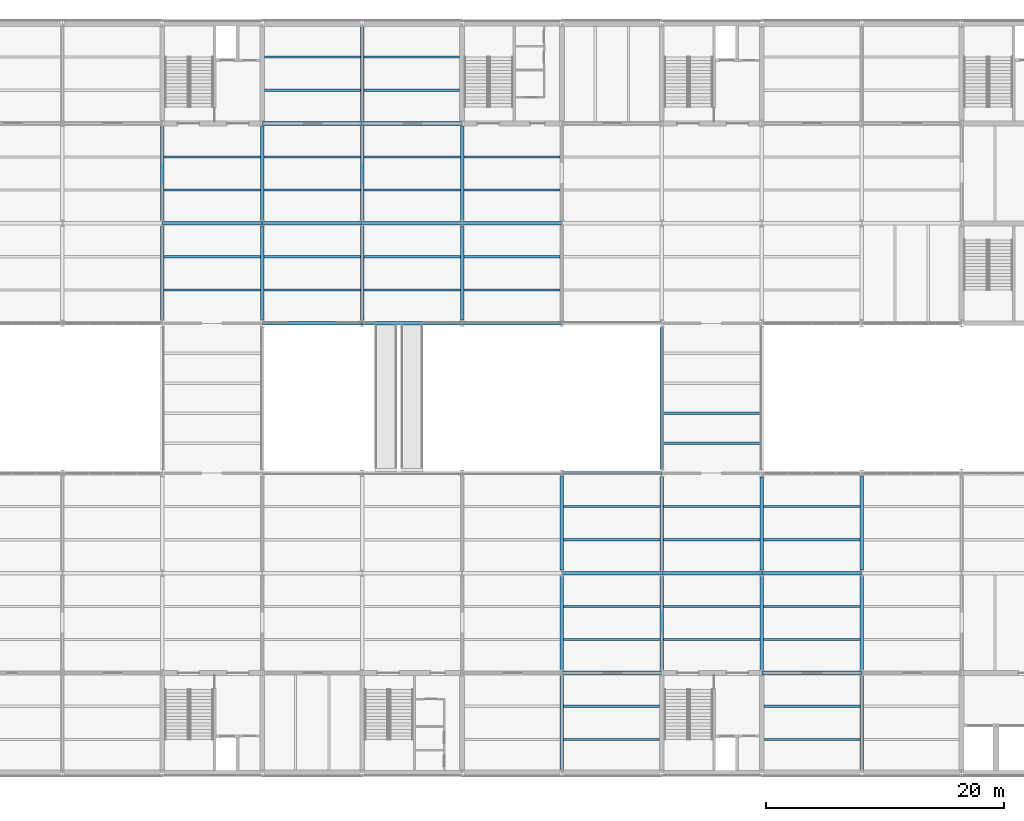
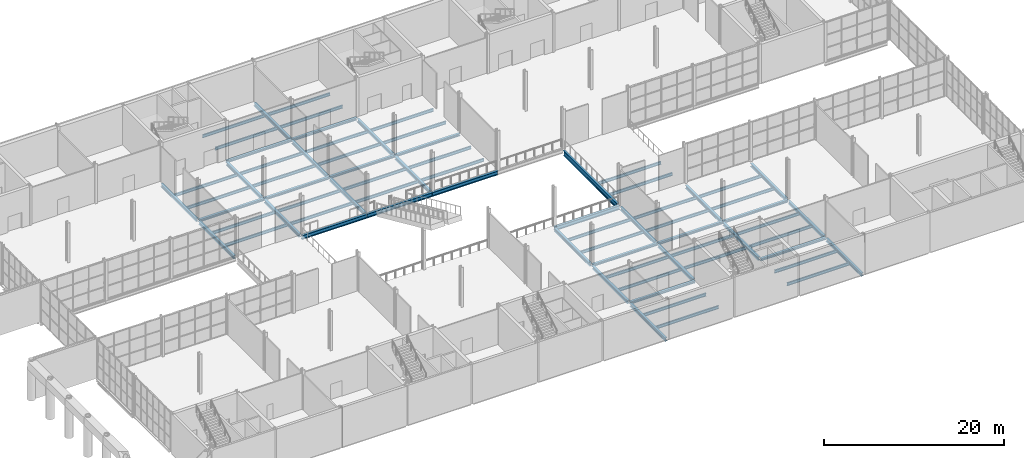
# One storey, part 21 of 64: 73 beams.
"""IFC4 building model written with IfcOpenShell, lengths in metres."""

from ifc_helpers import new_model, si_unit, direction, frame, origin, origin_2d, place, context, subcontext, project, spatial, i_section, extrude, material, material_profile, profile_set, type_object, element, save


model = new_model("IFC4")

# Units and contexts
model_context = context("Model", 3, precision=1e-05, world=origin(), true_north=direction((0.0, 1.0)))
body_context = subcontext(model_context, "Body", "Model", "MODEL_VIEW")
ifc_project = project(units=[si_unit("LENGTHUNIT", "METRE"), si_unit("AREAUNIT", "SQUARE_METRE"), si_unit("VOLUMEUNIT", "CUBIC_METRE"), si_unit("PLANEANGLEUNIT", "RADIAN"), si_unit("MASSUNIT", "GRAM", prefix="KILO")], contexts=[model_context])

# Site, building, storey
site_placement = place(None, origin())
site = spatial("IfcSite", under=ifc_project, at=site_placement, CompositionType="ELEMENT")
building_placement = place(site_placement, origin())
building = spatial("IfcBuilding", under=site, at=building_placement, Name="Galleria Vessillo Department Store", CompositionType="ELEMENT")
storey_placement = place(building_placement, frame((0.0, 0.0, 6.0)))
storey = spatial("IfcBuildingStorey", under=building, at=storey_placement, Name="L01", CompositionType="ELEMENT", Elevation=6.0)

# Beams
ifc_material_1 = material(Name="Steel S355 J2", Category="steel")
ifc_material_profile_1 = material_profile(ifc_material_1, i_section(OverallWidth=0.300048828125, OverallDepth=0.68994140625, WebThickness=0.014404296875, FlangeThickness=0.027099609375, FilletRadius=0.027099609375, at=origin_2d()), Name="HEA 700")
ifc_profile_set_1 = profile_set([ifc_material_profile_1], Name="Steel S355 J2")
beam_type_1 = type_object("IfcBeamType", Name="Bridge girder HEA 700", PredefinedType="BEAM", material=ifc_profile_set_1)
beam_1_placement = place(storey_placement, frame((75.60009765625, 25.51025390625, -0.494873046875), z_axis=(0.0, 1.0, 0.0), x_axis=(-1.0, 0.0, 0.0)))
element("IfcBeam", 1, at=beam_1_placement, inside=storey, type_object=beam_type_1, Name="S-BM-L01-BR-y75600-25510", PredefinedType="BEAM", context=body_context, shape_type="SweptSolid", body=[
    extrude(i_section(OverallWidth=0.300048828125, OverallDepth=0.68994140625, WebThickness=0.014404296875, FlangeThickness=0.027099609375, FilletRadius=0.027099609375, at=origin_2d()), origin(), (0.0, 0.0, 1.0), 11.9794921875),
])
ifc_material_2 = material(Name="Steel S355 J2", Category="steel")
ifc_material_profile_2 = material_profile(ifc_material_2, i_section(OverallWidth=0.300048828125, OverallDepth=0.43994140625, WebThickness=0.011474609375, FlangeThickness=0.02099609375, FilletRadius=0.027099609375, at=origin_2d()), Name="HEA 450")
ifc_profile_set_2 = profile_set([ifc_material_profile_2], Name="Steel S355 J2")
beam_type_2 = type_object("IfcBeamType", Name="Floor girder HEA 450", PredefinedType="BEAM", material=ifc_profile_set_2)
beam_2_placement = place(storey_placement, frame((33.60009765625, 38.110107421875, -0.369873046875), z_axis=(0.0, 1.0, 0.0), x_axis=(-1.0, 0.0, 0.0)))
element("IfcBeam", 2, at=beam_2_placement, inside=storey, type_object=beam_type_2, Name="S-BM-L01-GI-y33600-38110", PredefinedType="BEAM", context=body_context, shape_type="SweptSolid", body=[
    extrude(i_section(OverallWidth=0.300048828125, OverallDepth=0.43994140625, WebThickness=0.011474609375, FlangeThickness=0.02099609375, FilletRadius=0.027099609375, at=origin_2d()), origin(), (0.0, 0.0, 1.0), 7.83984375),
])
beam_3_placement = place(storey_placement, frame((33.60009765625, 46.4501953125, -0.369873046875), z_axis=(0.0, 1.0, 0.0), x_axis=(-1.0, 0.0, 0.0)))
element("IfcBeam", 3, at=beam_3_placement, inside=storey, type_object=beam_type_2, Name="S-BM-L01-GI-y33600-46450", PredefinedType="BEAM", context=body_context, shape_type="SweptSolid", body=[
    extrude(i_section(OverallWidth=0.300048828125, OverallDepth=0.43994140625, WebThickness=0.011474609375, FlangeThickness=0.02099609375, FilletRadius=0.027099609375, at=origin_2d()), origin(), (0.0, 0.0, 1.0), 7.899658203125),
])
beam_4_placement = place(storey_placement, frame((42.0, 38.110107421875, -0.369873046875), z_axis=(0.0, 1.0, 0.0), x_axis=(-1.0, 0.0, 0.0)))
element("IfcBeam", 4, at=beam_4_placement, inside=storey, type_object=beam_type_2, Name="S-BM-L01-GI-y42000-38110", PredefinedType="BEAM", context=body_context, shape_type="SweptSolid", body=[
    extrude(i_section(OverallWidth=0.300048828125, OverallDepth=0.43994140625, WebThickness=0.011474609375, FlangeThickness=0.02099609375, FilletRadius=0.027099609375, at=origin_2d()), origin(), (0.0, 0.0, 1.0), 7.83984375),
])
beam_5_placement = place(storey_placement, frame((42.0, 46.4501953125, -0.369873046875), z_axis=(0.0, 1.0, 0.0), x_axis=(-1.0, 0.0, 0.0)))
element("IfcBeam", 5, at=beam_5_placement, inside=storey, type_object=beam_type_2, Name="S-BM-L01-GI-y42000-46450", PredefinedType="BEAM", context=body_context, shape_type="SweptSolid", body=[
    extrude(i_section(OverallWidth=0.300048828125, OverallDepth=0.43994140625, WebThickness=0.011474609375, FlangeThickness=0.02099609375, FilletRadius=0.027099609375, at=origin_2d()), origin(), (0.0, 0.0, 1.0), 7.899658203125),
])
beam_6_placement = place(storey_placement, frame((50.39990234375, 38.06201171875, -0.369873046875), z_axis=(0.0, 1.0, 0.0), x_axis=(-1.0, 0.0, 0.0)))
element("IfcBeam", 6, at=beam_6_placement, inside=storey, type_object=beam_type_2, Name="S-BM-L01-GI-y50400-38062", PredefinedType="BEAM", context=body_context, shape_type="SweptSolid", body=[
    extrude(i_section(OverallWidth=0.300048828125, OverallDepth=0.43994140625, WebThickness=0.011474609375, FlangeThickness=0.02099609375, FilletRadius=0.027099609375, at=origin_2d()), origin(), (0.0, 0.0, 1.0), 7.887939453125),
])
for number, where, z_axis, x_axis, name in (
    (7, (50.39990234375, 46.4501953125, -0.369873046875), (0.0, 1.0, 0.0), (-1.0, 0.0, 0.0), "S-BM-L01-GI-y50400-46450"),
    (8, (50.39990234375, 54.85009765625, -0.369873046875), (0.0, 1.0, 0.0), (-1.0, 0.0, 0.0), "S-BM-L01-GI-y50400-54850"),
):
    element("IfcBeam", number, at=place(storey_placement, frame(where, z_axis=z_axis, x_axis=x_axis)), inside=storey, type_object=beam_type_2, Name=name, PredefinedType="BEAM", context=body_context, shape_type="SweptSolid", body=[
        extrude(i_section(OverallWidth=0.300048828125, OverallDepth=0.43994140625, WebThickness=0.011474609375, FlangeThickness=0.02099609375, FilletRadius=0.027099609375, at=origin_2d()), origin(), (0.0, 0.0, 1.0), 7.899658203125),
    ])
beam_7_placement = place(storey_placement, frame((58.800048828125, 38.06201171875, -0.369873046875), z_axis=(0.0, 1.0, 0.0), x_axis=(-1.0, 0.0, 0.0)))
element("IfcBeam", 9, at=beam_7_placement, inside=storey, type_object=beam_type_2, Name="S-BM-L01-GI-y58800-38062", PredefinedType="BEAM", context=body_context, shape_type="SweptSolid", body=[
    extrude(i_section(OverallWidth=0.300048828125, OverallDepth=0.43994140625, WebThickness=0.011474609375, FlangeThickness=0.02099609375, FilletRadius=0.027099609375, at=origin_2d()), origin(), (0.0, 0.0, 1.0), 7.887939453125),
])
for number, where, z_axis, x_axis, name in (
    (10, (58.800048828125, 46.4501953125, -0.369873046875), (0.0, 1.0, 0.0), (-1.0, 0.0, 0.0), "S-BM-L01-GI-y58800-46450"),
    (11, (67.199951171875, 0.250244140625, -0.369873046875), (0.0, 1.0, 0.0), (-1.0, 0.0, 0.0), "S-BM-L01-GI-y67200-250"),
    (12, (67.199951171875, 8.650146484375, -0.369873046875), (0.0, 1.0, 0.0), (-1.0, 0.0, 0.0), "S-BM-L01-GI-y67200-8650"),
):
    element("IfcBeam", number, at=place(storey_placement, frame(where, z_axis=z_axis, x_axis=x_axis)), inside=storey, type_object=beam_type_2, Name=name, PredefinedType="BEAM", context=body_context, shape_type="SweptSolid", body=[
        extrude(i_section(OverallWidth=0.300048828125, OverallDepth=0.43994140625, WebThickness=0.011474609375, FlangeThickness=0.02099609375, FilletRadius=0.027099609375, at=origin_2d()), origin(), (0.0, 0.0, 1.0), 7.899658203125),
    ])
beam_8_placement = place(storey_placement, frame((67.199951171875, 17.050048828125, -0.369873046875), z_axis=(0.0, 1.0, 0.0), x_axis=(-1.0, 0.0, 0.0)))
element("IfcBeam", 13, at=beam_8_placement, inside=storey, type_object=beam_type_2, Name="S-BM-L01-GI-y67200-17050", PredefinedType="BEAM", context=body_context, shape_type="SweptSolid", body=[
    extrude(i_section(OverallWidth=0.300048828125, OverallDepth=0.43994140625, WebThickness=0.011474609375, FlangeThickness=0.02099609375, FilletRadius=0.027099609375, at=origin_2d()), origin(), (0.0, 0.0, 1.0), 7.887939453125),
])
beam_9_placement = place(storey_placement, frame((75.60009765625, 8.650146484375, -0.369873046875), z_axis=(0.0, 1.0, 0.0), x_axis=(-1.0, 0.0, 0.0)))
element("IfcBeam", 14, at=beam_9_placement, inside=storey, type_object=beam_type_2, Name="S-BM-L01-GI-y75600-8650", PredefinedType="BEAM", context=body_context, shape_type="SweptSolid", body=[
    extrude(i_section(OverallWidth=0.300048828125, OverallDepth=0.43994140625, WebThickness=0.011474609375, FlangeThickness=0.02099609375, FilletRadius=0.027099609375, at=origin_2d()), origin(), (0.0, 0.0, 1.0), 7.899658203125),
])
beam_10_placement = place(storey_placement, frame((75.60009765625, 17.050048828125, -0.369873046875), z_axis=(0.0, 1.0, 0.0), x_axis=(-1.0, 0.0, 0.0)))
element("IfcBeam", 15, at=beam_10_placement, inside=storey, type_object=beam_type_2, Name="S-BM-L01-GI-y75600-17050", PredefinedType="BEAM", context=body_context, shape_type="SweptSolid", body=[
    extrude(i_section(OverallWidth=0.300048828125, OverallDepth=0.43994140625, WebThickness=0.011474609375, FlangeThickness=0.02099609375, FilletRadius=0.027099609375, at=origin_2d()), origin(), (0.0, 0.0, 1.0), 7.83984375),
])
beam_11_placement = place(storey_placement, frame((84.0, 8.650146484375, -0.369873046875), z_axis=(0.0, 1.0, 0.0), x_axis=(-1.0, 0.0, 0.0)))
element("IfcBeam", 16, at=beam_11_placement, inside=storey, type_object=beam_type_2, Name="S-BM-L01-GI-y84000-8650", PredefinedType="BEAM", context=body_context, shape_type="SweptSolid", body=[
    extrude(i_section(OverallWidth=0.300048828125, OverallDepth=0.43994140625, WebThickness=0.011474609375, FlangeThickness=0.02099609375, FilletRadius=0.027099609375, at=origin_2d()), origin(), (0.0, 0.0, 1.0), 7.899658203125),
])
beam_12_placement = place(storey_placement, frame((84.0, 17.050048828125, -0.369873046875), z_axis=(0.0, 1.0, 0.0), x_axis=(-1.0, 0.0, 0.0)))
element("IfcBeam", 17, at=beam_12_placement, inside=storey, type_object=beam_type_2, Name="S-BM-L01-GI-y84000-17050", PredefinedType="BEAM", context=body_context, shape_type="SweptSolid", body=[
    extrude(i_section(OverallWidth=0.300048828125, OverallDepth=0.43994140625, WebThickness=0.011474609375, FlangeThickness=0.02099609375, FilletRadius=0.027099609375, at=origin_2d()), origin(), (0.0, 0.0, 1.0), 7.83984375),
])
for number, where, z_axis, x_axis, name in (
    (18, (92.39990234375, 0.250244140625, -0.369873046875), (0.0, 1.0, 0.0), (-1.0, 0.0, 0.0), "S-BM-L01-GI-y92400-250"),
    (19, (92.39990234375, 8.650146484375, -0.369873046875), (0.0, 1.0, 0.0), (-1.0, 0.0, 0.0), "S-BM-L01-GI-y92400-8650"),
):
    element("IfcBeam", number, at=place(storey_placement, frame(where, z_axis=z_axis, x_axis=x_axis)), inside=storey, type_object=beam_type_2, Name=name, PredefinedType="BEAM", context=body_context, shape_type="SweptSolid", body=[
        extrude(i_section(OverallWidth=0.300048828125, OverallDepth=0.43994140625, WebThickness=0.011474609375, FlangeThickness=0.02099609375, FilletRadius=0.027099609375, at=origin_2d()), origin(), (0.0, 0.0, 1.0), 7.899658203125),
    ])
beam_13_placement = place(storey_placement, frame((92.39990234375, 17.050048828125, -0.369873046875), z_axis=(0.0, 1.0, 0.0), x_axis=(-1.0, 0.0, 0.0)))
element("IfcBeam", 20, at=beam_13_placement, inside=storey, type_object=beam_type_2, Name="S-BM-L01-GI-y92400-17050", PredefinedType="BEAM", context=body_context, shape_type="SweptSolid", body=[
    extrude(i_section(OverallWidth=0.300048828125, OverallDepth=0.43994140625, WebThickness=0.011474609375, FlangeThickness=0.02099609375, FilletRadius=0.027099609375, at=origin_2d()), origin(), (0.0, 0.0, 1.0), 7.887939453125),
])
ifc_material_3 = material(Name="Steel S355 J2", Category="steel")
ifc_material_profile_3 = material_profile(ifc_material_3, i_section(OverallWidth=0.179931640625, OverallDepth=0.39990234375, WebThickness=0.008544921875, FlangeThickness=0.013427734375, FilletRadius=0.02099609375, at=origin_2d()), Name="IPE 400")
ifc_profile_set_3 = profile_set([ifc_material_profile_3], Name="Steel S355 J2")
beam_type_3 = type_object("IfcBeamType", Name="Floor joist IPE 400", PredefinedType="JOIST", material=ifc_profile_set_3)
for number, where, z_axis, x_axis, name in (
    (21, (33.750244140625, 40.60009765625, -0.349853515625), (1.0, 0.0, 0.0), (0.0, 1.0, 0.0), "S-BM-L01-JO-x40600-33750"),
    (22, (33.750244140625, 43.39990234375, -0.349853515625), (1.0, 0.0, 0.0), (0.0, 1.0, 0.0), "S-BM-L01-JO-x43400-33750"),
    (23, (33.750244140625, 49.0, -0.349853515625), (1.0, 0.0, 0.0), (0.0, 1.0, 0.0), "S-BM-L01-JO-x49000-33750"),
    (24, (33.750244140625, 51.800048828125, -0.349853515625), (1.0, 0.0, 0.0), (0.0, 1.0, 0.0), "S-BM-L01-JO-x51800-33750"),
    (25, (42.150146484375, 40.60009765625, -0.349853515625), (1.0, 0.0, 0.0), (0.0, 1.0, 0.0), "S-BM-L01-JO-x40600-42150"),
    (26, (42.150146484375, 43.39990234375, -0.349853515625), (1.0, 0.0, 0.0), (0.0, 1.0, 0.0), "S-BM-L01-JO-x43400-42150"),
    (27, (42.150146484375, 49.0, -0.349853515625), (1.0, 0.0, 0.0), (0.0, 1.0, 0.0), "S-BM-L01-JO-x49000-42150"),
    (28, (42.150146484375, 51.800048828125, -0.349853515625), (1.0, 0.0, 0.0), (0.0, 1.0, 0.0), "S-BM-L01-JO-x51800-42150"),
):
    element("IfcBeam", number, at=place(storey_placement, frame(where, z_axis=z_axis, x_axis=x_axis)), inside=storey, type_object=beam_type_3, Name=name, PredefinedType="JOIST", context=body_context, shape_type="SweptSolid", body=[
        extrude(i_section(OverallWidth=0.179931640625, OverallDepth=0.39990234375, WebThickness=0.008544921875, FlangeThickness=0.013427734375, FilletRadius=0.02099609375, at=origin_2d()), origin(), (0.0, 0.0, 1.0), 8.099609375),
    ])
for number, where, z_axis, x_axis, name in (
    (29, (42.2001953125, 57.39990234375, -0.349853515625), (1.0, 0.0, 0.0), (0.0, 1.0, 0.0), "S-BM-L01-JO-x57400-42200"),
    (30, (42.2001953125, 60.199951171875, -0.349853515625), (1.0, 0.0, 0.0), (0.0, 1.0, 0.0), "S-BM-L01-JO-x60200-42200"),
):
    element("IfcBeam", number, at=place(storey_placement, frame(where, z_axis=z_axis, x_axis=x_axis)), inside=storey, type_object=beam_type_3, Name=name, PredefinedType="JOIST", context=body_context, shape_type="SweptSolid", body=[
        extrude(i_section(OverallWidth=0.179931640625, OverallDepth=0.39990234375, WebThickness=0.008544921875, FlangeThickness=0.013427734375, FilletRadius=0.02099609375, at=origin_2d()), origin(), (0.0, 0.0, 1.0), 8.049560546875),
    ])
for number, where, z_axis, x_axis, name in (
    (31, (50.550048828125, 40.60009765625, -0.349853515625), (1.0, 0.0, 0.0), (0.0, 1.0, 0.0), "S-BM-L01-JO-x40600-50550"),
    (32, (50.550048828125, 43.39990234375, -0.349853515625), (1.0, 0.0, 0.0), (0.0, 1.0, 0.0), "S-BM-L01-JO-x43400-50550"),
    (33, (50.550048828125, 49.0, -0.349853515625), (1.0, 0.0, 0.0), (0.0, 1.0, 0.0), "S-BM-L01-JO-x49000-50550"),
    (34, (50.550048828125, 51.800048828125, -0.349853515625), (1.0, 0.0, 0.0), (0.0, 1.0, 0.0), "S-BM-L01-JO-x51800-50550"),
):
    element("IfcBeam", number, at=place(storey_placement, frame(where, z_axis=z_axis, x_axis=x_axis)), inside=storey, type_object=beam_type_3, Name=name, PredefinedType="JOIST", context=body_context, shape_type="SweptSolid", body=[
        extrude(i_section(OverallWidth=0.179931640625, OverallDepth=0.39990234375, WebThickness=0.008544921875, FlangeThickness=0.013427734375, FilletRadius=0.02099609375, at=origin_2d()), origin(), (0.0, 0.0, 1.0), 8.099853515625),
    ])
for number, where, z_axis, x_axis, name in (
    (35, (50.550048828125, 57.39990234375, -0.349853515625), (1.0, 0.0, 0.0), (0.0, 1.0, 0.0), "S-BM-L01-JO-x57400-50550"),
    (36, (50.550048828125, 60.199951171875, -0.349853515625), (1.0, 0.0, 0.0), (0.0, 1.0, 0.0), "S-BM-L01-JO-x60200-50550"),
):
    element("IfcBeam", number, at=place(storey_placement, frame(where, z_axis=z_axis, x_axis=x_axis)), inside=storey, type_object=beam_type_3, Name=name, PredefinedType="JOIST", context=body_context, shape_type="SweptSolid", body=[
        extrude(i_section(OverallWidth=0.179931640625, OverallDepth=0.39990234375, WebThickness=0.008544921875, FlangeThickness=0.013427734375, FilletRadius=0.02099609375, at=origin_2d()), origin(), (0.0, 0.0, 1.0), 8.0498046875),
    ])
for number, where, z_axis, x_axis, name in (
    (37, (58.9501953125, 40.60009765625, -0.349853515625), (1.0, 0.0, 0.0), (0.0, 1.0, 0.0), "S-BM-L01-JO-x40600-58950"),
    (38, (58.9501953125, 43.39990234375, -0.349853515625), (1.0, 0.0, 0.0), (0.0, 1.0, 0.0), "S-BM-L01-JO-x43400-58950"),
    (39, (58.9501953125, 49.0, -0.349853515625), (1.0, 0.0, 0.0), (0.0, 1.0, 0.0), "S-BM-L01-JO-x49000-58950"),
    (40, (58.9501953125, 51.800048828125, -0.349853515625), (1.0, 0.0, 0.0), (0.0, 1.0, 0.0), "S-BM-L01-JO-x51800-58950"),
):
    element("IfcBeam", number, at=place(storey_placement, frame(where, z_axis=z_axis, x_axis=x_axis)), inside=storey, type_object=beam_type_3, Name=name, PredefinedType="JOIST", context=body_context, shape_type="SweptSolid", body=[
        extrude(i_section(OverallWidth=0.179931640625, OverallDepth=0.39990234375, WebThickness=0.008544921875, FlangeThickness=0.013427734375, FilletRadius=0.02099609375, at=origin_2d()), origin(), (0.0, 0.0, 1.0), 8.099609375),
    ])
for number, where, z_axis, x_axis, name in (
    (41, (67.35009765625, 2.800048828125, -0.349853515625), (1.0, 0.0, 0.0), (0.0, 1.0, 0.0), "S-BM-L01-JO-x2800-67350"),
    (42, (67.35009765625, 5.60009765625, -0.349853515625), (1.0, 0.0, 0.0), (0.0, 1.0, 0.0), "S-BM-L01-JO-x5600-67350"),
):
    element("IfcBeam", number, at=place(storey_placement, frame(where, z_axis=z_axis, x_axis=x_axis)), inside=storey, type_object=beam_type_3, Name=name, PredefinedType="JOIST", context=body_context, shape_type="SweptSolid", body=[
        extrude(i_section(OverallWidth=0.179931640625, OverallDepth=0.39990234375, WebThickness=0.008544921875, FlangeThickness=0.013427734375, FilletRadius=0.02099609375, at=origin_2d()), origin(), (0.0, 0.0, 1.0), 8.0498046875),
    ])
for number, where, z_axis, x_axis, name in (
    (43, (67.35009765625, 11.199951171875, -0.349853515625), (1.0, 0.0, 0.0), (0.0, 1.0, 0.0), "S-BM-L01-JO-x11200-67350"),
    (44, (67.35009765625, 14.0, -0.349853515625), (1.0, 0.0, 0.0), (0.0, 1.0, 0.0), "S-BM-L01-JO-x14000-67350"),
    (45, (67.35009765625, 19.60009765625, -0.349853515625), (1.0, 0.0, 0.0), (0.0, 1.0, 0.0), "S-BM-L01-JO-x19600-67350"),
    (46, (67.35009765625, 22.39990234375, -0.349853515625), (1.0, 0.0, 0.0), (0.0, 1.0, 0.0), "S-BM-L01-JO-x22400-67350"),
):
    element("IfcBeam", number, at=place(storey_placement, frame(where, z_axis=z_axis, x_axis=x_axis)), inside=storey, type_object=beam_type_3, Name=name, PredefinedType="JOIST", context=body_context, shape_type="SweptSolid", body=[
        extrude(i_section(OverallWidth=0.179931640625, OverallDepth=0.39990234375, WebThickness=0.008544921875, FlangeThickness=0.013427734375, FilletRadius=0.02099609375, at=origin_2d()), origin(), (0.0, 0.0, 1.0), 8.099853515625),
    ])
for number, where, z_axis, x_axis, name in (
    (47, (75.750244140625, 11.199951171875, -0.349853515625), (1.0, 0.0, 0.0), (0.0, 1.0, 0.0), "S-BM-L01-JO-x11200-75750"),
    (48, (75.750244140625, 14.0, -0.349853515625), (1.0, 0.0, 0.0), (0.0, 1.0, 0.0), "S-BM-L01-JO-x14000-75750"),
    (49, (75.750244140625, 19.60009765625, -0.349853515625), (1.0, 0.0, 0.0), (0.0, 1.0, 0.0), "S-BM-L01-JO-x19600-75750"),
    (50, (75.750244140625, 22.39990234375, -0.349853515625), (1.0, 0.0, 0.0), (0.0, 1.0, 0.0), "S-BM-L01-JO-x22400-75750"),
    (51, (75.750244140625, 27.719970703125, -0.349853515625), (1.0, 0.0, 0.0), (0.0, 1.0, 0.0), "S-BM-L01-JO-x27720-75750"),
    (52, (75.750244140625, 30.239990234375, -0.349853515625), (1.0, 0.0, 0.0), (0.0, 1.0, 0.0), "S-BM-L01-JO-x30240-75750"),
):
    element("IfcBeam", number, at=place(storey_placement, frame(where, z_axis=z_axis, x_axis=x_axis)), inside=storey, type_object=beam_type_3, Name=name, PredefinedType="JOIST", context=body_context, shape_type="SweptSolid", body=[
        extrude(i_section(OverallWidth=0.179931640625, OverallDepth=0.39990234375, WebThickness=0.008544921875, FlangeThickness=0.013427734375, FilletRadius=0.02099609375, at=origin_2d()), origin(), (0.0, 0.0, 1.0), 8.099609375),
    ])
for number, where, z_axis, x_axis, name in (
    (53, (84.2001953125, 2.800048828125, -0.349853515625), (1.0, 0.0, 0.0), (0.0, 1.0, 0.0), "S-BM-L01-JO-x2800-84200"),
    (54, (84.2001953125, 5.60009765625, -0.349853515625), (1.0, 0.0, 0.0), (0.0, 1.0, 0.0), "S-BM-L01-JO-x5600-84200"),
):
    element("IfcBeam", number, at=place(storey_placement, frame(where, z_axis=z_axis, x_axis=x_axis)), inside=storey, type_object=beam_type_3, Name=name, PredefinedType="JOIST", context=body_context, shape_type="SweptSolid", body=[
        extrude(i_section(OverallWidth=0.179931640625, OverallDepth=0.39990234375, WebThickness=0.008544921875, FlangeThickness=0.013427734375, FilletRadius=0.02099609375, at=origin_2d()), origin(), (0.0, 0.0, 1.0), 8.049560546875),
    ])
for number, where, z_axis, x_axis, name in (
    (55, (84.150146484375, 11.199951171875, -0.349853515625), (1.0, 0.0, 0.0), (0.0, 1.0, 0.0), "S-BM-L01-JO-x11200-84150"),
    (56, (84.150146484375, 14.0, -0.349853515625), (1.0, 0.0, 0.0), (0.0, 1.0, 0.0), "S-BM-L01-JO-x14000-84150"),
    (57, (84.150146484375, 19.60009765625, -0.349853515625), (1.0, 0.0, 0.0), (0.0, 1.0, 0.0), "S-BM-L01-JO-x19600-84150"),
    (58, (84.150146484375, 22.39990234375, -0.349853515625), (1.0, 0.0, 0.0), (0.0, 1.0, 0.0), "S-BM-L01-JO-x22400-84150"),
):
    element("IfcBeam", number, at=place(storey_placement, frame(where, z_axis=z_axis, x_axis=x_axis)), inside=storey, type_object=beam_type_3, Name=name, PredefinedType="JOIST", context=body_context, shape_type="SweptSolid", body=[
        extrude(i_section(OverallWidth=0.179931640625, OverallDepth=0.39990234375, WebThickness=0.008544921875, FlangeThickness=0.013427734375, FilletRadius=0.02099609375, at=origin_2d()), origin(), (0.0, 0.0, 1.0), 8.099609375),
    ])
ifc_material_4 = material(Name="Steel S355 J2", Category="steel")
ifc_material_profile_4 = material_profile(ifc_material_4, i_section(OverallWidth=0.300048828125, OverallDepth=0.330078125, WebThickness=0.009521484375, FlangeThickness=0.0166015625, FilletRadius=0.027099609375, at=origin_2d()), Name="HEA 340")
ifc_profile_set_4 = profile_set([ifc_material_profile_4], Name="Steel S355 J2")
beam_type_4 = type_object("IfcBeamType", Name="Floor tie girder HEA 340", PredefinedType="BEAM", material=ifc_profile_set_4)
for number, where, z_axis, x_axis, name in (
    (59, (67.207275390625, 8.39990234375, -0.31494140625), (1.0, 0.0, 0.0), (0.0, 1.0, 0.0), "S-BM-L01-TI-x8400-67207"),
    (60, (84.00732421875, 8.39990234375, -0.31494140625), (1.0, 0.0, 0.0), (0.0, 1.0, 0.0), "S-BM-L01-TI-x8400-84007"),
    (61, (67.207275390625, 16.800048828125, -0.31494140625), (1.0, 0.0, 0.0), (0.0, 1.0, 0.0), "S-BM-L01-TI-x16800-67207"),
    (62, (75.607421875, 16.800048828125, -0.31494140625), (1.0, 0.0, 0.0), (0.0, 1.0, 0.0), "S-BM-L01-TI-x16800-75607"),
    (63, (84.00732421875, 16.800048828125, -0.31494140625), (1.0, 0.0, 0.0), (0.0, 1.0, 0.0), "S-BM-L01-TI-x16800-84007"),
    (64, (33.607421875, 46.199951171875, -0.31494140625), (1.0, 0.0, 0.0), (0.0, 1.0, 0.0), "S-BM-L01-TI-x46200-33607"),
    (65, (42.00732421875, 46.199951171875, -0.31494140625), (1.0, 0.0, 0.0), (0.0, 1.0, 0.0), "S-BM-L01-TI-x46200-42007"),
    (66, (50.407470703125, 46.199951171875, -0.31494140625), (1.0, 0.0, 0.0), (0.0, 1.0, 0.0), "S-BM-L01-TI-x46200-50407"),
    (67, (58.807373046875, 46.199951171875, -0.31494140625), (1.0, 0.0, 0.0), (0.0, 1.0, 0.0), "S-BM-L01-TI-x46200-58807"),
    (68, (42.00732421875, 54.60009765625, -0.31494140625), (1.0, 0.0, 0.0), (0.0, 1.0, 0.0), "S-BM-L01-TI-x54600-42007"),
    (69, (50.407470703125, 54.60009765625, -0.31494140625), (1.0, 0.0, 0.0), (0.0, 1.0, 0.0), "S-BM-L01-TI-x54600-50407"),
):
    element("IfcBeam", number, at=place(storey_placement, frame(where, z_axis=z_axis, x_axis=x_axis)), inside=storey, type_object=beam_type_4, Name=name, PredefinedType="BEAM", context=body_context, shape_type="SweptSolid", body=[
        extrude(i_section(OverallWidth=0.300048828125, OverallDepth=0.330078125, WebThickness=0.009521484375, FlangeThickness=0.0166015625, FilletRadius=0.027099609375, at=origin_2d()), origin(), (0.0, 0.0, 1.0), 8.38525390625),
    ])
ifc_material_5 = material(Name="Steel S355 J2", Category="steel")
ifc_material_profile_5 = material_profile(ifc_material_5, i_section(OverallWidth=0.300048828125, OverallDepth=0.5400390625, WebThickness=0.012451171875, FlangeThickness=0.02392578125, FilletRadius=0.027099609375, at=origin_2d()), Name="HEA 550")
ifc_profile_set_5 = profile_set([ifc_material_profile_5], Name="Steel S355 J2")
beam_type_5 = type_object("IfcBeamType", Name="Trimmer beam HEA 550", PredefinedType="BEAM", material=ifc_profile_set_5)
for number, where, z_axis, x_axis, name in (
    (70, (67.210693359375, 25.199951171875, -0.419921875), (1.0, 0.0, 0.0), (0.0, 1.0, 0.0), "S-BM-L01-TR-x25200-67211"),
    (71, (42.0107421875, 37.800048828125, -0.419921875), (1.0, 0.0, 0.0), (0.0, 1.0, 0.0), "S-BM-L01-TR-x37800-42011"),
    (72, (50.41064453125, 37.800048828125, -0.419921875), (1.0, 0.0, 0.0), (0.0, 1.0, 0.0), "S-BM-L01-TR-x37800-50411"),
):
    element("IfcBeam", number, at=place(storey_placement, frame(where, z_axis=z_axis, x_axis=x_axis)), inside=storey, type_object=beam_type_5, Name=name, PredefinedType="BEAM", context=body_context, shape_type="SweptSolid", body=[
        extrude(i_section(OverallWidth=0.300048828125, OverallDepth=0.5400390625, WebThickness=0.012451171875, FlangeThickness=0.02392578125, FilletRadius=0.027099609375, at=origin_2d()), origin(), (0.0, 0.0, 1.0), 8.378662109375),
    ])
beam_14_placement = place(storey_placement, frame((58.810546875, 37.800048828125, -0.419921875), z_axis=(1.0, 0.0, 0.0), x_axis=(0.0, 1.0, 0.0)))
element("IfcBeam", 73, at=beam_14_placement, inside=storey, type_object=beam_type_5, Name="S-BM-L01-TR-x37800-58811", PredefinedType="BEAM", context=body_context, shape_type="SweptSolid", body=[
    extrude(i_section(OverallWidth=0.300048828125, OverallDepth=0.5400390625, WebThickness=0.012451171875, FlangeThickness=0.02392578125, FilletRadius=0.027099609375, at=origin_2d()), origin(), (0.0, 0.0, 1.0), 8.37890625),
])

save(model, "model.ifc")
